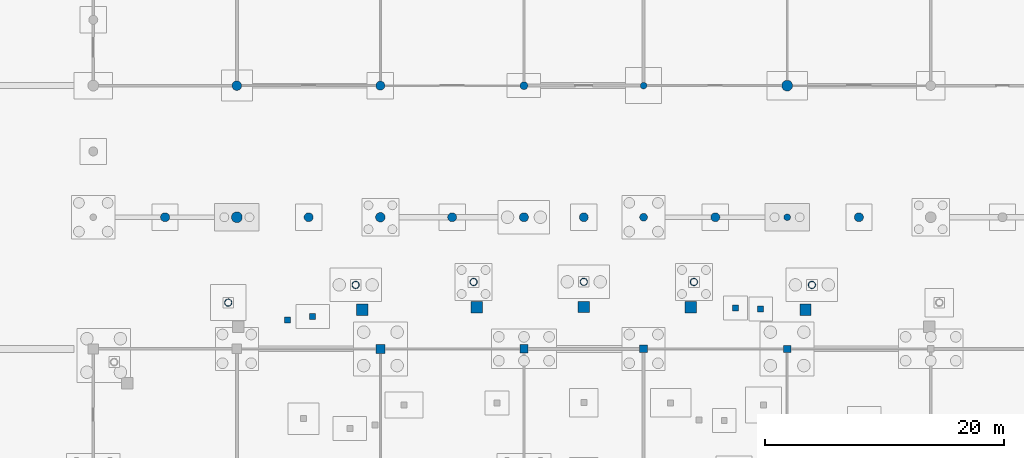
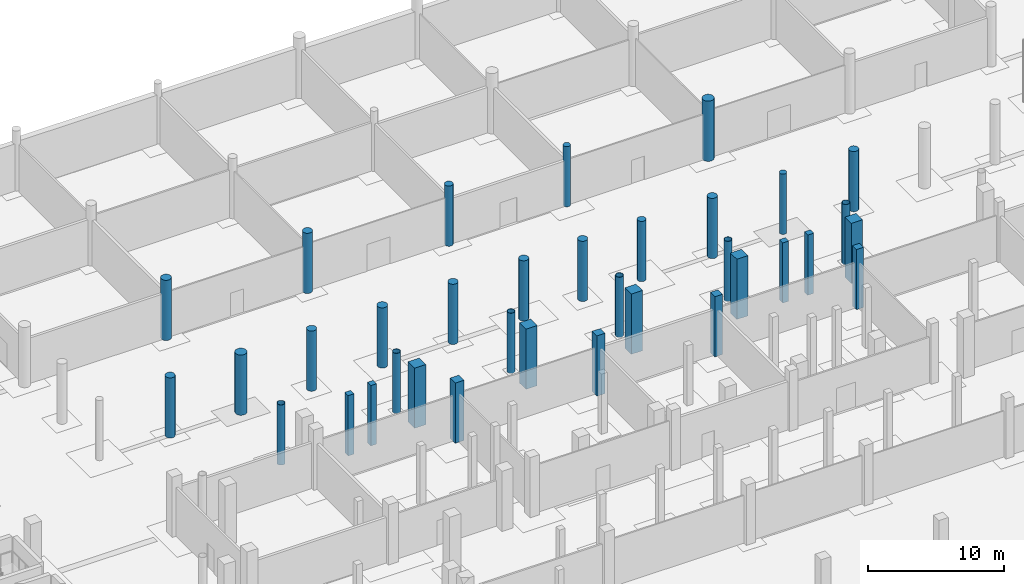
# One storey, part 17 of 60: 35 columns.
"""IFC4 building model written with IfcOpenShell, lengths in metres."""

from ifc_helpers import new_model, si_unit, direction, frame, origin, origin_2d, place, context, subcontext, project, spatial, rectangle, circle, hollow_circle, extrude, material, material_profile, profile_set, type_object, element, save


model = new_model("IFC4")

# Units and contexts
model_context = context("Model", 3, precision=1e-05, world=origin(), true_north=direction((0.0, 1.0)))
body_context = subcontext(model_context, "Body", "Model", "MODEL_VIEW")
ifc_project = project(units=[si_unit("LENGTHUNIT", "METRE"), si_unit("AREAUNIT", "SQUARE_METRE"), si_unit("VOLUMEUNIT", "CUBIC_METRE"), si_unit("PLANEANGLEUNIT", "RADIAN"), si_unit("MASSUNIT", "GRAM", prefix="KILO")], contexts=[model_context])

# Site, building, storey
site_placement = place(None, origin())
site = spatial("IfcSite", under=ifc_project, at=site_placement, CompositionType="ELEMENT")
building_placement = place(site_placement, origin())
building = spatial("IfcBuilding", under=site, at=building_placement, Name="Luwafu Chhajja Arena", CompositionType="ELEMENT")
storey_placement = place(building_placement, frame((0.0, 0.0, -5.39990234375)))
storey = spatial("IfcBuildingStorey", under=building, at=storey_placement, Name="B1", CompositionType="ELEMENT", Elevation=-5.39990234375)

# Columns
ifc_material_1 = material(Name="Concrete C40/50", Category="concrete")
ifc_material_profile_1 = material_profile(ifc_material_1, rectangle(XDim=0.949951171875, YDim=0.949951171875, at=origin_2d()), Name="RC 950x950")
ifc_profile_set_1 = profile_set([ifc_material_profile_1], Name="Concrete C40/50")
column_type_1 = type_object("IfcColumnType", Name="Bowl Raker Support Column RC 950", PredefinedType="COLUMN", material=ifc_profile_set_1)
for number, where, z_axis, x_axis, name in (
    (1, (117.53173828125, 91.2568359375, 0.0), (0.0, 0.0, 1.0), (1.0, 0.0, 0.0), "B1 Upper Bowl Raker Column UO07"),
    (2, (107.948486328125, 91.48876953125, 0.0), (0.0, 0.0, 1.0), (1.0, 0.0, 0.0), "B1 Upper Bowl Raker Column UO08"),
    (3, (99.0, 91.5, 0.0), (0.0, 0.0, 1.0), (1.0, 0.0, 0.0), "B1 Upper Bowl Raker Column UO09"),
    (4, (90.051513671875, 91.48876953125, 0.0), (0.0, 0.0, 1.0), (1.0, 0.0, 0.0), "B1 Upper Bowl Raker Column UO10"),
    (5, (80.46826171875, 91.2568359375, 0.0), (0.0, 0.0, 1.0), (1.0, 0.0, 0.0), "B1 Upper Bowl Raker Column UO11"),
):
    element("IfcColumn", number, at=place(storey_placement, frame(where, z_axis=z_axis, x_axis=x_axis)), inside=storey, type_object=column_type_1, Name=name, PredefinedType="COLUMN", context=body_context, shape_type="SweptSolid", body=[
        extrude(rectangle(XDim=0.949951171875, YDim=0.949951171875, at=origin_2d()), origin(), (0.0, 0.0, 1.0), 5.39990234375),
    ])
ifc_material_2 = material(Name="Concrete C35/45", Category="concrete")
ifc_material_profile_2 = material_profile(ifc_material_2, circle(Radius=0.375, at=origin_2d()), Name="RC COL D750")
ifc_profile_set_2 = profile_set([ifc_material_profile_2], Name="Concrete C35/45")
column_type_2 = type_object("IfcColumnType", Name="Charbagh Cloister Pier D750", PredefinedType="COLUMN", material=ifc_profile_set_2)
for number, where, z_axis, x_axis, name in (
    (6, (82.0, 110.0, 0.0), (0.0, 0.0, 1.0), (1.0, 0.0, 0.0), "B1 Grid Column 8/L"),
    (7, (94.0, 99.0, 0.0), (0.0, 0.0, 1.0), (1.0, 0.0, 0.0), "B1 Grid Column 9/K"),
    (8, (64.0, 99.0, 0.0), (0.0, 0.0, 1.0), (1.0, 0.0, 0.0), "B1 Mughal Riwaq Colonnade Pier CHS05"),
    (9, (76.0, 99.0, 0.0), (0.0, 0.0, 1.0), (1.0, 0.0, 0.0), "B1 Mughal Riwaq Colonnade Pier CHS06"),
    (10, (88.0, 99.0, 0.0), (0.0, 0.0, 1.0), (1.0, 0.0, 0.0), "B1 Mughal Riwaq Colonnade Pier CHS07"),
    (11, (99.0, 99.0, 0.0), (0.0, 0.0, 1.0), (1.0, 0.0, 0.0), "B1 Mughal Riwaq Colonnade Pier CHS08"),
    (12, (110.0, 99.0, 0.0), (0.0, 0.0, 1.0), (1.0, 0.0, 0.0), "B1 Mughal Riwaq Colonnade Pier CHS09"),
    (13, (122.0, 99.0, 0.0), (0.0, 0.0, 1.0), (1.0, 0.0, 0.0), "B1 Mughal Riwaq Colonnade Pier CHS10"),
):
    element("IfcColumn", number, at=place(storey_placement, frame(where, z_axis=z_axis, x_axis=x_axis)), inside=storey, type_object=column_type_2, Name=name, PredefinedType="COLUMN", context=body_context, shape_type="SweptSolid", body=[
        extrude(circle(Radius=0.375, at=origin_2d()), origin(), (0.0, 0.0, 1.0), 5.39990234375),
    ])
ifc_material_profile_3 = material_profile(ifc_material_2, circle(Radius=0.324951171875, at=origin_2d()), Name="RC COL D650")
ifc_profile_set_3 = profile_set([ifc_material_profile_3], Name="Concrete C35/45")
column_type_3 = type_object("IfcColumnType", Name="Courtyard Arcade Pier D650", PredefinedType="COLUMN", material=ifc_profile_set_3)
for number, where, z_axis, x_axis, name in (
    (14, (94.0, 110.0, 0.0), (0.0, 0.0, 1.0), (1.0, 0.0, 0.0), "B1 Grid Column 9/L"),
    (15, (104.0, 99.0, 0.0), (0.0, 0.0, 1.0), (1.0, 0.0, 0.0), "B1 Grid Column 10/K"),
):
    element("IfcColumn", number, at=place(storey_placement, frame(where, z_axis=z_axis, x_axis=x_axis)), inside=storey, type_object=column_type_3, Name=name, PredefinedType="COLUMN", context=body_context, shape_type="SweptSolid", body=[
        extrude(circle(Radius=0.324951171875, at=origin_2d()), origin(), (0.0, 0.0, 1.0), 5.39990234375),
    ])
ifc_material_profile_4 = material_profile(ifc_material_1, circle(Radius=0.39990234375, at=origin_2d()), Name="RC COL D800")
ifc_profile_set_4 = profile_set([ifc_material_profile_4], Name="Concrete C40/50")
column_type_4 = type_object("IfcColumnType", Name="Foyer Rotunda Pier D800", PredefinedType="COLUMN", material=ifc_profile_set_4)
for number, where, z_axis, x_axis, name in (
    (16, (70.0, 110.0, 0.0), (0.0, 0.0, 1.0), (1.0, 0.0, 0.0), "B1 Grid Column 7/L"),
    (17, (82.0, 99.0, 0.0), (0.0, 0.0, 1.0), (1.0, 0.0, 0.0), "B1 Grid Column 8/K"),
):
    element("IfcColumn", number, at=place(storey_placement, frame(where, z_axis=z_axis, x_axis=x_axis)), inside=storey, type_object=column_type_4, Name=name, PredefinedType="COLUMN", context=body_context, shape_type="SweptSolid", body=[
        extrude(circle(Radius=0.39990234375, at=origin_2d()), origin(), (0.0, 0.0, 1.0), 5.39990234375),
    ])
ifc_material_profile_5 = material_profile(ifc_material_2, rectangle(XDim=0.75, YDim=0.75, at=origin_2d()), Name="RC 750x750")
ifc_profile_set_5 = profile_set([ifc_material_profile_5], Name="Concrete C35/45")
column_type_5 = type_object("IfcColumnType", Name="Hospitality Ring Column RC 750", PredefinedType="COLUMN", material=ifc_profile_set_5)
column_1_placement = place(storey_placement, frame((82.0, 88.0, 0.0), z_axis=(0.0, 0.0, 1.0), x_axis=(1.0, 0.0, 0.0)))
element("IfcColumn", 18, at=column_1_placement, inside=storey, type_object=column_type_5, Name="B1 Grid Column 8/J", PredefinedType="COLUMN", context=body_context, shape_type="SweptSolid", body=[
    extrude(rectangle(XDim=0.75, YDim=0.75, at=origin_2d()), origin(), (0.0, 0.0, 1.0), 5.39990234375),
])
ifc_material_profile_6 = material_profile(ifc_material_2, rectangle(XDim=0.60009765625, YDim=0.60009765625, at=origin_2d()), Name="RC 600x600")
ifc_profile_set_6 = profile_set([ifc_material_profile_6], Name="Concrete C35/45")
column_type_6 = type_object("IfcColumnType", Name="Mezzanine Column RC 600", PredefinedType="COLUMN", material=ifc_profile_set_6)
column_2_placement = place(storey_placement, frame((116.0, 88.0, 0.0), z_axis=(0.0, 0.0, 1.0), x_axis=(1.0, 0.0, 0.0)))
element("IfcColumn", 19, at=column_2_placement, inside=storey, type_object=column_type_6, Name="B1 Grid Column 11/J", PredefinedType="COLUMN", context=body_context, shape_type="SweptSolid", body=[
    extrude(rectangle(XDim=0.60009765625, YDim=0.60009765625, at=origin_2d()), origin(), (0.0, 0.0, 1.0), 5.39990234375),
])
ifc_material_profile_7 = material_profile(ifc_material_1, circle(Radius=0.449951171875, at=origin_2d()), Name="RC COL D900")
ifc_profile_set_7 = profile_set([ifc_material_profile_7], Name="Concrete C40/50")
column_type_7 = type_object("IfcColumnType", Name="Mughal Colonnade Drum Pier D900", PredefinedType="COLUMN", material=ifc_profile_set_7)
for number, where, z_axis, x_axis, name in (
    (20, (70.0, 99.0, 0.0), (0.0, 0.0, 1.0), (1.0, 0.0, 0.0), "B1 Grid Column 7/K"),
    (21, (116.0, 110.0, 0.0), (0.0, 0.0, 1.0), (1.0, 0.0, 0.0), "B1 Grid Column 11/L"),
):
    element("IfcColumn", number, at=place(storey_placement, frame(where, z_axis=z_axis, x_axis=x_axis)), inside=storey, type_object=column_type_7, Name=name, PredefinedType="COLUMN", context=body_context, shape_type="SweptSolid", body=[
        extrude(circle(Radius=0.449951171875, at=origin_2d()), origin(), (0.0, 0.0, 1.0), 5.39990234375),
    ])
ifc_material_profile_8 = material_profile(ifc_material_2, rectangle(XDim=0.5, YDim=0.5, at=origin_2d()), Name="RC 500x500")
ifc_profile_set_8 = profile_set([ifc_material_profile_8], Name="Concrete C35/45")
column_type_8 = type_object("IfcColumnType", Name="Pavilion Column RC 500", PredefinedType="COLUMN", material=ifc_profile_set_8)
for number, where, z_axis, x_axis, name in (
    (22, (113.789794921875, 91.347412109375, 0.0), (0.0, 0.0, 1.0), (1.0, 0.0, 0.0), "B1 Vomitory Stack Column VU07A"),
    (23, (111.6904296875, 91.398193359375, 0.0), (0.0, 0.0, 1.0), (1.0, 0.0, 0.0), "B1 Vomitory Stack Column VU07B"),
    (24, (76.332763671875, 90.693115234375, 0.0), (0.0, 0.0, 1.0), (1.0, 0.0, 0.0), "B1 Vomitory Stack Column VU11A"),
    (25, (74.251953125, 90.4091796875, 0.0), (0.0, 0.0, 1.0), (1.0, 0.0, 0.0), "B1 Vomitory Stack Column VU11B"),
):
    element("IfcColumn", number, at=place(storey_placement, frame(where, z_axis=z_axis, x_axis=x_axis)), inside=storey, type_object=column_type_8, Name=name, PredefinedType="COLUMN", context=body_context, shape_type="SweptSolid", body=[
        extrude(rectangle(XDim=0.5, YDim=0.5, at=origin_2d()), origin(), (0.0, 0.0, 1.0), 5.39990234375),
    ])
ifc_material_3 = material(Name="Steel S355", Category="steel")
ifc_material_profile_9 = material_profile(ifc_material_3, hollow_circle(Radius=0.304931640625, WallThickness=0.02490234375, at=origin_2d()), Name="CHS 610x25")
ifc_profile_set_9 = profile_set([ifc_material_profile_9], Name="Steel S355")
column_type_9 = type_object("IfcColumnType", Name="Steel Bowl Drum Column CHS 610", PredefinedType="COLUMN", material=ifc_profile_set_9)
for number, where, z_axis, x_axis, name in (
    (26, (118.067138671875, 93.3447265625, 0.0), (0.0, 0.0, 1.0), (1.0, 0.0, 0.0), "B1 Bowl Drum Column D07"),
    (27, (108.207275390625, 93.588134765625, 0.0), (0.0, 0.0, 1.0), (1.0, 0.0, 0.0), "B1 Bowl Drum Column D08"),
    (28, (99.0, 93.60009765625, 0.0), (0.0, 0.0, 1.0), (1.0, 0.0, 0.0), "B1 Bowl Drum Column D09"),
    (29, (89.792724609375, 93.588134765625, 0.0), (0.0, 0.0, 1.0), (1.0, 0.0, 0.0), "B1 Bowl Drum Column D10"),
    (30, (79.932861328125, 93.3447265625, 0.0), (0.0, 0.0, 1.0), (1.0, 0.0, 0.0), "B1 Bowl Drum Column D11"),
    (31, (69.281982421875, 91.86279296875, 0.0), (0.0, 0.0, 1.0), (1.0, 0.0, 0.0), "B1 Bowl Drum Column D12"),
):
    element("IfcColumn", number, at=place(storey_placement, frame(where, z_axis=z_axis, x_axis=x_axis)), inside=storey, type_object=column_type_9, Name=name, PredefinedType="COLUMN", context=body_context, shape_type="SweptSolid", body=[
        extrude(hollow_circle(Radius=0.304931640625, WallThickness=0.02490234375, at=origin_2d()), origin(), (0.0, 0.0, 1.0), 5.39990234375),
    ])
ifc_material_profile_10 = material_profile(ifc_material_2, circle(Radius=0.27490234375, at=origin_2d()), Name="RC COL D550")
ifc_profile_set_10 = profile_set([ifc_material_profile_10], Name="Concrete C35/45")
column_type_10 = type_object("IfcColumnType", Name="Terrace Loggia Pier D550", PredefinedType="COLUMN", material=ifc_profile_set_10)
for number, where, z_axis, x_axis, name in (
    (32, (104.0, 110.0, 0.0), (0.0, 0.0, 1.0), (1.0, 0.0, 0.0), "B1 Grid Column 10/L"),
    (33, (116.0, 99.0, 0.0), (0.0, 0.0, 1.0), (1.0, 0.0, 0.0), "B1 Grid Column 11/K"),
):
    element("IfcColumn", number, at=place(storey_placement, frame(where, z_axis=z_axis, x_axis=x_axis)), inside=storey, type_object=column_type_10, Name=name, PredefinedType="COLUMN", context=body_context, shape_type="SweptSolid", body=[
        extrude(circle(Radius=0.27490234375, at=origin_2d()), origin(), (0.0, 0.0, 1.0), 5.39990234375),
    ])
ifc_material_profile_11 = material_profile(ifc_material_2, rectangle(XDim=0.64990234375, YDim=0.64990234375, at=origin_2d()), Name="RC 650x650")
ifc_profile_set_11 = profile_set([ifc_material_profile_11], Name="Concrete C35/45")
column_type_11 = type_object("IfcColumnType", Name="Upper Wing Column RC 650", PredefinedType="COLUMN", material=ifc_profile_set_11)
column_3_placement = place(storey_placement, frame((104.0, 88.0, 0.0), z_axis=(0.0, 0.0, 1.0), x_axis=(1.0, 0.0, 0.0)))
element("IfcColumn", 34, at=column_3_placement, inside=storey, type_object=column_type_11, Name="B1 Grid Column 10/J", PredefinedType="COLUMN", context=body_context, shape_type="SweptSolid", body=[
    extrude(rectangle(XDim=0.64990234375, YDim=0.64990234375, at=origin_2d()), origin(), (0.0, 0.0, 1.0), 5.39990234375),
])
ifc_material_profile_12 = material_profile(ifc_material_2, rectangle(XDim=0.699951171875, YDim=0.699951171875, at=origin_2d()), Name="RC 700x700")
ifc_profile_set_12 = profile_set([ifc_material_profile_12], Name="Concrete C35/45")
column_type_12 = type_object("IfcColumnType", Name="Wing Frame Column RC 700", PredefinedType="COLUMN", material=ifc_profile_set_12)
column_4_placement = place(storey_placement, frame((94.0, 88.0, 0.0), z_axis=(0.0, 0.0, 1.0), x_axis=(1.0, 0.0, 0.0)))
element("IfcColumn", 35, at=column_4_placement, inside=storey, type_object=column_type_12, Name="B1 Grid Column 9/J", PredefinedType="COLUMN", context=body_context, shape_type="SweptSolid", body=[
    extrude(rectangle(XDim=0.699951171875, YDim=0.699951171875, at=origin_2d()), origin(), (0.0, 0.0, 1.0), 5.39990234375),
])

save(model, "model.ifc")
